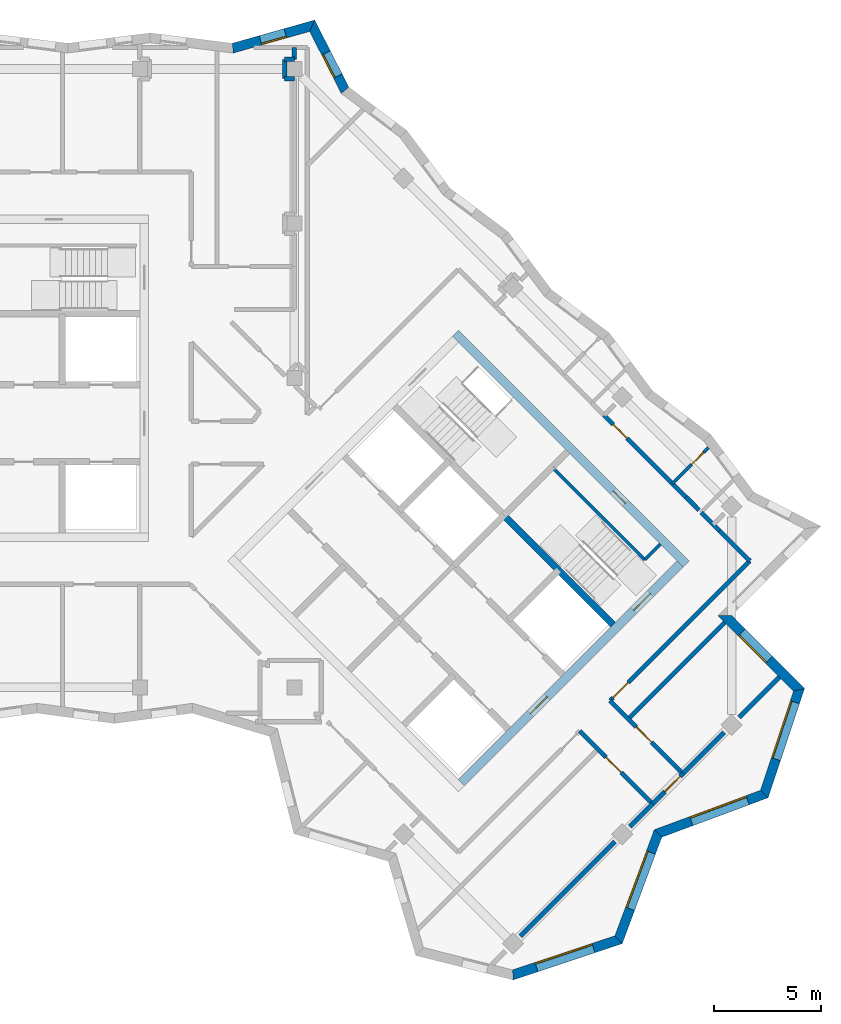
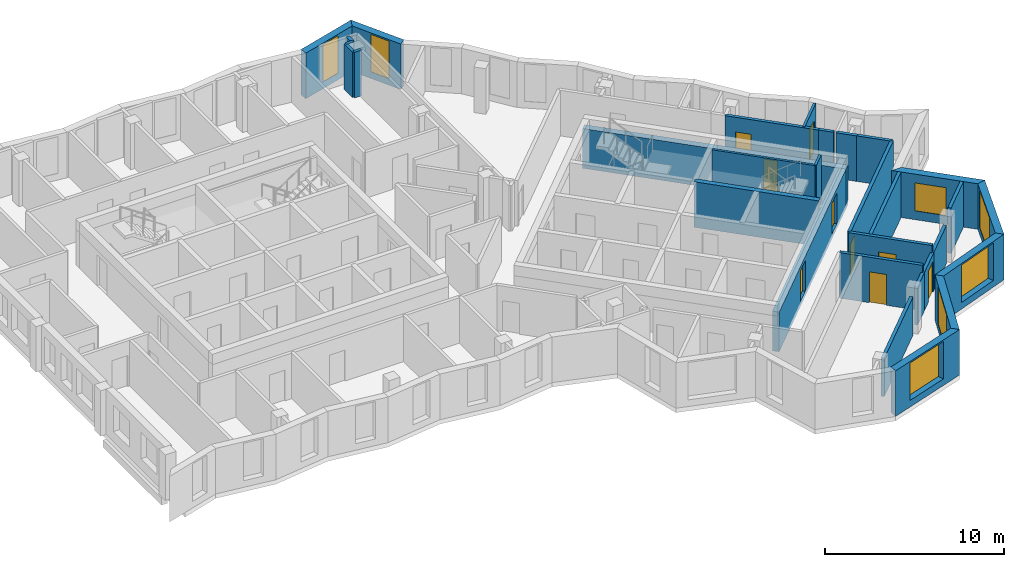
# One storey, part 7 of 13: 30 walls, 9 doors, 7 windows, 16 openings.
"""IFC4 building model written with IfcOpenShell, lengths in metres."""

from ifc_helpers import new_model, si_unit, direction, frame, frame_2d, origin, place, context, subcontext, project, spatial, polyline, rectangle, outline, extrude, material, layer, layer_set, type_object, element, fill, save


model = new_model("IFC4")

# Units and contexts
model_context = context("Model", 3, precision=1e-05, world=origin(), true_north=direction((0.0, 1.0)))
body_context = subcontext(model_context, "Body", "Model", "MODEL_VIEW")
ifc_project = project(units=[si_unit("LENGTHUNIT", "METRE"), si_unit("AREAUNIT", "SQUARE_METRE"), si_unit("VOLUMEUNIT", "CUBIC_METRE"), si_unit("PLANEANGLEUNIT", "RADIAN"), si_unit("MASSUNIT", "GRAM", prefix="KILO")], contexts=[model_context])

# Site, building, storey
site_placement = place(None, origin())
site = spatial("IfcSite", under=ifc_project, at=site_placement, CompositionType="ELEMENT")
building_placement = place(site_placement, origin())
building = spatial("IfcBuilding", under=site, at=building_placement, Name="Windrow Commons", CompositionType="ELEMENT")
storey_placement = place(building_placement, frame((0.0, 0.0, 264.2)))
storey = spatial("IfcBuildingStorey", under=building, at=storey_placement, Name="L72", CompositionType="ELEMENT", Elevation=264.2)

# Wall, opening, window
ifc_material_1 = material(Name="Brick masonry, red clay brick", Category="masonry")
ifc_layer_1 = layer(ifc_material_1, 0.45)
ifc_layer_set_1 = layer_set([ifc_layer_1], Name="Brick facade wall 450")
wall_type_1 = type_object("IfcWallType", Name="Brick facade wall 450", PredefinedType="SOLIDWALL", material=ifc_layer_set_1)
wall_1_placement = place(storey_placement, frame((89.3734, 29.8078, 0.0), z_axis=(0.0, 0.0, 1.0), x_axis=(0.9486852236, 0.3162219892, 0.0)))
wall_1 = element("IfcWall", 1, at=wall_1_placement, inside=storey, type_object=wall_type_1, Name="Brick facade wall L72 1", PredefinedType="SOLIDWALL", context=body_context, shape_type="SweptSolid", body=[
    extrude(outline(polyline([(-0.0657, -0.225), (5.3009, -0.225), (5.0853, 0.225), (0.0657, 0.225), (-0.0657, -0.225)])), origin(), (0.0, 0.0, 1.0), 3.1),
])
opening_1_placement = place(wall_1_placement, frame((1.1578, 0.0, 0.45)))
opening_1 = element("IfcOpeningElement", 2, at=opening_1_placement, cuts=wall_1, Name="Opening W1V", PredefinedType="OPENING", context=body_context, shape_type="SweptSolid", body=[
    extrude(rectangle(XDim=2.8, YDim=2.55, at=frame_2d((1.4, 1.275))), frame((0.0, 0.235, 0.0), z_axis=(0.0, -1.0, 0.0), x_axis=(1.0, 0.0, 0.0)), (0.0, 0.0, 1.0), 0.47),
])
ifc_material_2 = material(Name="Clear float glass in anodised aluminium frame", Category="aluminium")
window_type_1 = type_object("IfcWindowType", Name="Window W1V bedroom 2800x2550", PartitioningType="SINGLE_PANEL", PredefinedType="WINDOW", material=ifc_material_2)
window_1_placement = place(opening_1_placement, origin())
window_1 = element("IfcWindow", 3, at=window_1_placement, inside=storey, type_object=window_type_1, Name="Window L72 1.1", OverallHeight=2.55, OverallWidth=2.8, PartitioningType="SINGLE_PANEL", PredefinedType="WINDOW", context=body_context, shape_type="SweptSolid", body=[
    extrude(rectangle(XDim=2.8, YDim=2.55, at=frame_2d((1.4, 1.275))), frame((0.0, 0.205, 0.0), z_axis=(0.0, -1.0, 0.0), x_axis=(1.0, 0.0, 0.0)), (0.0, 0.0, 1.0), 0.06),
])
fill(opening_1, window_1)

wall_2_placement = place(storey_placement, frame((94.3001, 31.45, 0.0), z_axis=(0.0, 0.0, 1.0), x_axis=(0.3481927166, 0.9374229739, 0.0)))
wall_2 = element("IfcWall", 4, at=wall_2_placement, inside=storey, type_object=wall_type_1, Name="Brick facade wall L72 2", PredefinedType="SOLIDWALL", context=body_context, shape_type="SweptSolid", body=[
    extrude(outline(polyline([(-0.1078, -0.225), (5.1724, -0.225), (5.3786, 0.225), (0.1078, 0.225), (-0.1078, -0.225)])), origin(), (0.0, 0.0, 1.0), 3.1),
])
opening_2_placement = place(wall_2_placement, frame((1.5336, 0.0, 0.45)))
opening_2 = element("IfcOpeningElement", 5, at=opening_2_placement, cuts=wall_2, Name="Opening W1V", PredefinedType="OPENING", context=body_context, shape_type="SweptSolid", body=[
    extrude(rectangle(XDim=2.8, YDim=2.55, at=frame_2d((1.4, 1.275))), frame((0.0, 0.235, 0.0), z_axis=(0.0, -1.0, 0.0), x_axis=(1.0, 0.0, 0.0)), (0.0, 0.0, 1.0), 0.47),
])
window_2_placement = place(opening_2_placement, origin())
window_2 = element("IfcWindow", 6, at=window_2_placement, inside=storey, type_object=window_type_1, Name="Window L72 2.1", OverallHeight=2.55, OverallWidth=2.8, PartitioningType="SINGLE_PANEL", PredefinedType="WINDOW", context=body_context, shape_type="SweptSolid", body=[
    extrude(rectangle(XDim=2.8, YDim=2.55, at=frame_2d((1.4, 1.275))), frame((0.0, 0.205, 0.0), z_axis=(0.0, -1.0, 0.0), x_axis=(1.0, 0.0, 0.0)), (0.0, 0.0, 1.0), 0.06),
])
fill(opening_2, window_2)

wall_3_placement = place(storey_placement, frame((96.137, 36.3954, 0.0), z_axis=(0.0, 0.0, 1.0), x_axis=(0.937429161, 0.3481760591, 0.0)))
wall_3 = element("IfcWall", 7, at=wall_3_placement, inside=storey, type_object=wall_type_1, Name="Brick facade wall L72 3", PredefinedType="SOLIDWALL", context=body_context, shape_type="SweptSolid", body=[
    extrude(outline(polyline([(0.1031, -0.225), (5.3833, -0.225), (5.1677, 0.225), (-0.1031, 0.225), (0.1031, -0.225)])), origin(), (0.0, 0.0, 1.0), 3.1),
])
opening_3_placement = place(wall_3_placement, frame((1.6509, 0.0, 0.45)))
opening_3 = element("IfcOpeningElement", 8, at=opening_3_placement, cuts=wall_3, Name="Opening W1V", PredefinedType="OPENING", context=body_context, shape_type="SweptSolid", body=[
    extrude(rectangle(XDim=2.8, YDim=2.55, at=frame_2d((1.4, 1.275))), frame((0.0, 0.235, 0.0), z_axis=(0.0, -1.0, 0.0), x_axis=(1.0, 0.0, 0.0)), (0.0, 0.0, 1.0), 0.47),
])
window_3_placement = place(opening_3_placement, origin())
window_3 = element("IfcWindow", 9, at=window_3_placement, inside=storey, type_object=window_type_1, Name="Window L72 3.1", OverallHeight=2.55, OverallWidth=2.8, PartitioningType="SINGLE_PANEL", PredefinedType="WINDOW", context=body_context, shape_type="SweptSolid", body=[
    extrude(rectangle(XDim=2.8, YDim=2.55, at=frame_2d((1.4, 1.275))), frame((0.0, 0.205, 0.0), z_axis=(0.0, -1.0, 0.0), x_axis=(1.0, 0.0, 0.0)), (0.0, 0.0, 1.0), 0.06),
])
fill(opening_3, window_3)

wall_4_placement = place(storey_placement, frame((101.0824, 38.2322, 0.0), z_axis=(0.0, 0.0, 1.0), x_axis=(0.316227766, 0.9486832981, 0.0)))
wall_4 = element("IfcWall", 10, at=wall_4_placement, inside=storey, type_object=wall_type_1, Name="Brick facade wall L72 4", PredefinedType="SOLIDWALL", context=body_context, shape_type="SweptSolid", body=[
    extrude(outline(polyline([(-0.1078, -0.225), (5.2588, -0.225), (4.9807, 0.225), (0.1078, 0.225), (-0.1078, -0.225)])), origin(), (0.0, 0.0, 1.0), 3.1),
])
opening_4_placement = place(wall_4_placement, frame((1.7112, 0.0, 0.45)))
opening_4 = element("IfcOpeningElement", 11, at=opening_4_placement, cuts=wall_4, Name="Opening W1V", PredefinedType="OPENING", context=body_context, shape_type="SweptSolid", body=[
    extrude(rectangle(XDim=2.8, YDim=2.55, at=frame_2d((1.4, 1.275))), frame((0.0, 0.235, 0.0), z_axis=(0.0, -1.0, 0.0), x_axis=(1.0, 0.0, 0.0)), (0.0, 0.0, 1.0), 0.47),
])
window_4_placement = place(opening_4_placement, origin())
window_4 = element("IfcWindow", 12, at=window_4_placement, inside=storey, type_object=window_type_1, Name="Window L72 4.1", OverallHeight=2.55, OverallWidth=2.8, PartitioningType="SINGLE_PANEL", PredefinedType="WINDOW", context=body_context, shape_type="SweptSolid", body=[
    extrude(rectangle(XDim=2.8, YDim=2.55, at=frame_2d((1.4, 1.275))), frame((0.0, 0.205, 0.0), z_axis=(0.0, -1.0, 0.0), x_axis=(1.0, 0.0, 0.0)), (0.0, 0.0, 1.0), 0.06),
])
fill(opening_4, window_4)

wall_5_placement = place(storey_placement, frame((102.7014, 43.0892, 0.0), z_axis=(0.0, 0.0, 1.0), x_axis=(-0.7070965479, 0.7071170144, 0.0)))
wall_5 = element("IfcWall", 13, at=wall_5_placement, inside=storey, type_object=wall_type_1, Name="Brick facade wall L72 5", PredefinedType="SOLIDWALL", context=body_context, shape_type="SweptSolid", body=[
    extrude(outline(polyline([(-0.1391, -0.225), (4.661, -0.225), (5.111, 0.225), (0.1391, 0.225), (-0.1391, -0.225)])), origin(), (0.0, 0.0, 1.0), 3.1),
])
opening_5_placement = place(wall_5_placement, frame((1.9735, 0.0, 0.6)))
opening_5 = element("IfcOpeningElement", 14, at=opening_5_placement, cuts=wall_5, Name="Opening W1L", PredefinedType="OPENING", context=body_context, shape_type="SweptSolid", body=[
    extrude(rectangle(XDim=1.8, YDim=1.9, at=frame_2d((0.9, 0.95))), frame((0.0, 0.235, 0.0), z_axis=(0.0, -1.0, 0.0), x_axis=(1.0, 0.0, 0.0)), (0.0, 0.0, 1.0), 0.47),
])
ifc_material_3 = material(Name="Clear float glass in anodised aluminium frame", Category="aluminium")
window_type_2 = type_object("IfcWindowType", Name="Window W1L bedroom 1800x1900", PartitioningType="SINGLE_PANEL", PredefinedType="WINDOW", material=ifc_material_3)
window_5_placement = place(opening_5_placement, origin())
window_5 = element("IfcWindow", 15, at=window_5_placement, inside=storey, type_object=window_type_2, Name="Window L72 5.1", OverallHeight=1.9, OverallWidth=1.8, PartitioningType="SINGLE_PANEL", PredefinedType="WINDOW", context=body_context, shape_type="SweptSolid", body=[
    extrude(rectangle(XDim=1.8, YDim=1.9, at=frame_2d((0.9, 0.95))), frame((0.0, 0.205, 0.0), z_axis=(0.0, -1.0, 0.0), x_axis=(1.0, 0.0, 0.0)), (0.0, 0.0, 1.0), 0.06),
])
fill(opening_5, window_5)

wall_6_placement = place(storey_placement, frame((81.5614, 71.0102, 0.0), z_axis=(0.0, 0.0, 1.0), x_axis=(-0.4543493723, 0.8908235784, 0.0)))
wall_6 = element("IfcWall", 16, at=wall_6_placement, inside=storey, type_object=wall_type_1, Name="Brick facade wall L72 16", PredefinedType="SOLIDWALL", context=body_context, shape_type="SweptSolid", body=[
    extrude(outline(polyline([(0.0524, -0.225), (3.558, -0.225), (3.1887, 0.225), (-0.0524, 0.225), (0.0524, -0.225)])), origin(), (0.0, 0.0, 1.0), 3.1),
])
opening_6_placement = place(wall_6_placement, frame((0.7457, 0.0, 0.45)))
opening_6 = element("IfcOpeningElement", 17, at=opening_6_placement, cuts=wall_6, Name="Opening W7F", PredefinedType="OPENING", context=body_context, shape_type="SweptSolid", body=[
    extrude(rectangle(XDim=1.2, YDim=2.55, at=frame_2d((0.6, 1.275))), frame((0.0, 0.235, 0.0), z_axis=(0.0, -1.0, 0.0), x_axis=(1.0, 0.0, 0.0)), (0.0, 0.0, 1.0), 0.47),
])
ifc_material_4 = material(Name="Clear float glass in anodised aluminium frame", Category="aluminium")
window_type_3 = type_object("IfcWindowType", Name="Window W7 notch 1200x2550", PartitioningType="SINGLE_PANEL", PredefinedType="WINDOW", material=ifc_material_4)
window_6_placement = place(opening_6_placement, origin())
window_6 = element("IfcWindow", 18, at=window_6_placement, inside=storey, type_object=window_type_3, Name="Window L72 16.1", OverallHeight=2.55, OverallWidth=1.2, PartitioningType="SINGLE_PANEL", PredefinedType="WINDOW", context=body_context, shape_type="SweptSolid", body=[
    extrude(rectangle(XDim=1.2, YDim=2.55, at=frame_2d((0.6, 1.275))), frame((0.0, 0.205, 0.0), z_axis=(0.0, -1.0, 0.0), x_axis=(1.0, 0.0, 0.0)), (0.0, 0.0, 1.0), 0.06),
])
fill(opening_6, window_6)

wall_7_placement = place(storey_placement, frame((80.0287, 74.0153, 0.0), z_axis=(0.0, 0.0, 1.0), x_axis=(-0.9623447924, -0.2718317505, 0.0)))
wall_7 = element("IfcWall", 19, at=wall_7_placement, inside=storey, type_object=wall_type_1, Name="Brick facade wall L72 17", PredefinedType="SOLIDWALL", context=body_context, shape_type="SweptSolid", body=[
    extrude(outline(polyline([(-0.1847, -0.225), (3.7957, -0.225), (3.8871, 0.225), (0.1847, 0.225), (-0.1847, -0.225)])), origin(), (0.0, 0.0, 1.0), 3.1),
])
opening_7_placement = place(wall_7_placement, frame((1.3013, 0.0, 0.45)))
opening_7 = element("IfcOpeningElement", 20, at=opening_7_placement, cuts=wall_7, Name="Opening W7F", PredefinedType="OPENING", context=body_context, shape_type="SweptSolid", body=[
    extrude(rectangle(XDim=1.2, YDim=2.55, at=frame_2d((0.6, 1.275))), frame((0.0, 0.235, 0.0), z_axis=(0.0, -1.0, 0.0), x_axis=(1.0, 0.0, 0.0)), (0.0, 0.0, 1.0), 0.47),
])
window_7_placement = place(opening_7_placement, origin())
window_7 = element("IfcWindow", 21, at=window_7_placement, inside=storey, type_object=window_type_3, Name="Window L72 17.1", OverallHeight=2.55, OverallWidth=1.2, PartitioningType="SINGLE_PANEL", PredefinedType="WINDOW", context=body_context, shape_type="SweptSolid", body=[
    extrude(rectangle(XDim=1.2, YDim=2.55, at=frame_2d((0.6, 1.275))), frame((0.0, 0.205, 0.0), z_axis=(0.0, -1.0, 0.0), x_axis=(1.0, 0.0, 0.0)), (0.0, 0.0, 1.0), 0.06),
])
fill(opening_7, window_7)

# Wall, opening, door
ifc_material_5 = material(Name="Blockwork partition", Category="masonry")
ifc_layer_2 = layer(ifc_material_5, 0.2)
ifc_layer_set_2 = layer_set([ifc_layer_2], Name="IW-CORRIDOR-200")
wall_type_2 = type_object("IfcWallType", Name="IW-CORRIDOR-200", PredefinedType="PARTITIONING", material=ifc_layer_set_2)
wall_8_placement = place(storey_placement, frame((93.9069, 42.5851, 0.0), z_axis=(0.0, 0.0, 1.0), x_axis=(0.7071067812, 0.7071067812, 0.0)))
wall_8 = element("IfcWall", 22, at=wall_8_placement, inside=storey, type_object=wall_type_2, Name="W-L72-W007", PredefinedType="PARTITIONING", context=body_context, shape_type="SweptSolid", body=[
    extrude(rectangle(XDim=9.2009, YDim=0.2, at=frame_2d((4.6005, 0.0))), origin(), (0.0, 0.0, 1.0), 3.1),
])
opening_8_placement = place(wall_8_placement, frame((0.1931, 0.0, 0.0)))
opening_8 = element("IfcOpeningElement", 23, at=opening_8_placement, cuts=wall_8, Name="Opening D310F", PredefinedType="OPENING", context=body_context, shape_type="SweptSolid", body=[
    extrude(rectangle(XDim=1.0, YDim=2.1, at=frame_2d((0.5, 1.05))), frame((0.0, 0.11, 0.0), z_axis=(0.0, -1.0, 0.0), x_axis=(1.0, 0.0, 0.0)), (0.0, 0.0, 1.0), 0.22),
])
ifc_material_6 = material(Name="Timber door leaf", Category="wood")
door_type_1 = type_object("IfcDoorType", Name="DT-AMENITY-1000", OperationType="SINGLE_SWING_LEFT", PredefinedType="DOOR", material=ifc_material_6)
door_1_placement = place(opening_8_placement, origin())
door_1 = element("IfcDoor", 24, at=door_1_placement, inside=storey, type_object=door_type_1, Name="D-L72-D028", OperationType="SINGLE_SWING_LEFT", OverallHeight=2.1, OverallWidth=1.0, PredefinedType="DOOR", context=body_context, shape_type="SweptSolid", body=[
    extrude(rectangle(XDim=1.0, YDim=2.1, at=frame_2d((0.5, 1.05))), frame((0.0, 0.025, 0.0), z_axis=(0.0, -1.0, 0.0), x_axis=(1.0, 0.0, 0.0)), (0.0, 0.0, 1.0), 0.05),
])
fill(opening_8, door_1)

wall_9_placement = place(storey_placement, frame((93.6213, 55.8753, 0.0), z_axis=(0.0, 0.0, 1.0), x_axis=(0.7071623255, -0.7070512325, 0.0)))
wall_9 = element("IfcWall", 25, at=wall_9_placement, inside=storey, type_object=wall_type_2, Name="W-L72-W020", PredefinedType="PARTITIONING", context=body_context, shape_type="SweptSolid", body=[
    extrude(rectangle(XDim=5.4009, YDim=0.2, at=frame_2d((2.7005, 0.0))), origin(), (0.0, 0.0, 1.0), 3.1),
])
opening_9_placement = place(wall_9_placement, frame((0.6107, 0.0, 0.0)))
opening_9 = element("IfcOpeningElement", 26, at=opening_9_placement, cuts=wall_9, Name="Opening D109S", PredefinedType="OPENING", context=body_context, shape_type="SweptSolid", body=[
    extrude(rectangle(XDim=0.9, YDim=2.1, at=frame_2d((0.45, 1.05))), frame((0.0, 0.11, 0.0), z_axis=(0.0, -1.0, 0.0), x_axis=(1.0, 0.0, 0.0)), (0.0, 0.0, 1.0), 0.22),
])
ifc_material_7 = material(Name="Timber door leaf", Category="wood")
door_type_2 = type_object("IfcDoorType", Name="DT-BEDROOM-900", OperationType="SINGLE_SWING_LEFT", PredefinedType="DOOR", material=ifc_material_7)
door_2_placement = place(opening_9_placement, origin())
door_2 = element("IfcDoor", 27, at=door_2_placement, inside=storey, type_object=door_type_2, Name="D-L72-D022", OperationType="SINGLE_SWING_LEFT", OverallHeight=2.1, OverallWidth=0.9, PredefinedType="DOOR", context=body_context, shape_type="SweptSolid", body=[
    extrude(rectangle(XDim=0.9, YDim=2.1, at=frame_2d((0.45, 1.05))), frame((0.0, 0.025, 0.0), z_axis=(0.0, -1.0, 0.0), x_axis=(1.0, 0.0, 0.0)), (0.0, 0.0, 1.0), 0.05),
])
fill(opening_9, door_2)

wall_10_placement = place(storey_placement, frame((93.9049, 42.5809, 0.0), z_axis=(0.0, 0.0, 1.0), x_axis=(0.7071067812, -0.7071067812, 0.0)))
wall_10 = element("IfcWall", 28, at=wall_10_placement, inside=storey, type_object=wall_type_2, Name="W-L72-W023", PredefinedType="PARTITIONING", context=body_context, shape_type="SweptSolid", body=[
    extrude(rectangle(XDim=4.7998, YDim=0.2, at=frame_2d((2.3999, 0.0))), origin(), (0.0, 0.0, 1.0), 3.1),
])
opening_10_placement = place(wall_10_placement, frame((1.7246, 0.0, 0.0)))
opening_10 = element("IfcOpeningElement", 29, at=opening_10_placement, cuts=wall_10, Name="Opening D310F", PredefinedType="OPENING", context=body_context, shape_type="SweptSolid", body=[
    extrude(rectangle(XDim=1.0, YDim=2.1, at=frame_2d((0.5, 1.05))), frame((0.0, 0.11, 0.0), z_axis=(0.0, -1.0, 0.0), x_axis=(1.0, 0.0, 0.0)), (0.0, 0.0, 1.0), 0.22),
])
door_3_placement = place(opening_10_placement, origin())
door_3 = element("IfcDoor", 30, at=door_3_placement, inside=storey, type_object=door_type_1, Name="D-L72-D029", OperationType="SINGLE_SWING_RIGHT", OverallHeight=2.1, OverallWidth=1.0, PredefinedType="DOOR", context=body_context, shape_type="SweptSolid", body=[
    extrude(rectangle(XDim=1.0, YDim=2.1, at=frame_2d((0.5, 1.05))), frame((0.0, 0.025, 0.0), z_axis=(0.0, -1.0, 0.0), x_axis=(1.0, 0.0, 0.0)), (0.0, 0.0, 1.0), 0.05),
])
fill(opening_10, door_3)

wall_11_placement = place(storey_placement, frame((92.4907, 41.1667, 0.0), z_axis=(0.0, 0.0, 1.0), x_axis=(0.7071067812, -0.7071067812, 0.0)))
wall_11 = element("IfcWall", 31, at=wall_11_placement, inside=storey, type_object=wall_type_2, Name="W-L72-W024", PredefinedType="PARTITIONING", context=body_context, shape_type="SweptSolid", body=[
    extrude(rectangle(XDim=4.7998, YDim=0.2, at=frame_2d((2.3999, 0.0))), origin(), (0.0, 0.0, 1.0), 3.1),
])
opening_11_placement = place(wall_11_placement, frame((1.7246, 0.0, 0.0)))
opening_11 = element("IfcOpeningElement", 32, at=opening_11_placement, cuts=wall_11, Name="Opening D310F", PredefinedType="OPENING", context=body_context, shape_type="SweptSolid", body=[
    extrude(rectangle(XDim=1.0, YDim=2.1, at=frame_2d((0.5, 1.05))), frame((0.0, 0.11, 0.0), z_axis=(0.0, -1.0, 0.0), x_axis=(1.0, 0.0, 0.0)), (0.0, 0.0, 1.0), 0.22),
])
door_4_placement = place(opening_11_placement, origin())
door_4 = element("IfcDoor", 33, at=door_4_placement, inside=storey, type_object=door_type_1, Name="D-L72-D027", OperationType="SINGLE_SWING_LEFT", OverallHeight=2.1, OverallWidth=1.0, PredefinedType="DOOR", context=body_context, shape_type="SweptSolid", body=[
    extrude(rectangle(XDim=1.0, YDim=2.1, at=frame_2d((0.5, 1.05))), frame((0.0, 0.025, 0.0), z_axis=(0.0, -1.0, 0.0), x_axis=(1.0, 0.0, 0.0)), (0.0, 0.0, 1.0), 0.05),
])
fill(opening_11, door_4)

# Wall
wall_12_placement = place(storey_placement, frame((98.9983, 50.5043, 0.0), z_axis=(0.0, 0.0, 1.0), x_axis=(0.7076063266, -0.7066068826, 0.0)))
element("IfcWall", 34, at=wall_12_placement, inside=storey, type_object=wall_type_2, Name="W-L72-W065", PredefinedType="PARTITIONING", context=body_context, shape_type="SweptSolid", body=[
    extrude(rectangle(XDim=2.0011, YDim=0.2, at=frame_2d((1.0006, 0.0))), origin(), (0.0, 0.0, 1.0), 3.1),
])

# Wall, opening, door
wall_13_placement = place(storey_placement, frame((95.887, 37.777, 0.0), z_axis=(0.0, 0.0, 1.0), x_axis=(0.7071067812, 0.7071067812, 0.0)))
wall_13 = element("IfcWall", 35, at=wall_13_placement, inside=storey, type_object=wall_type_2, Name="W-L72-W067", PredefinedType="PARTITIONING", context=body_context, shape_type="SweptSolid", body=[
    extrude(rectangle(XDim=1.9997, YDim=0.2, at=frame_2d((0.9999, 0.0))), origin(), (0.0, 0.0, 1.0), 2.6),
])
opening_12_placement = place(wall_13_placement, frame((0.8027, 0.0, 0.0)))
opening_12 = element("IfcOpeningElement", 36, at=opening_12_placement, cuts=wall_13, Name="Opening D310F", PredefinedType="OPENING", context=body_context, shape_type="SweptSolid", body=[
    extrude(rectangle(XDim=1.0, YDim=2.1, at=frame_2d((0.5, 1.05))), frame((0.0, 0.11, 0.0), z_axis=(0.0, -1.0, 0.0), x_axis=(1.0, 0.0, 0.0)), (0.0, 0.0, 1.0), 0.22),
])
door_5_placement = place(opening_12_placement, origin())
door_5 = element("IfcDoor", 37, at=door_5_placement, inside=storey, type_object=door_type_1, Name="D-L72-D030", OperationType="SINGLE_SWING_RIGHT", OverallHeight=2.1, OverallWidth=1.0, PredefinedType="DOOR", context=body_context, shape_type="SweptSolid", body=[
    extrude(rectangle(XDim=1.0, YDim=2.1, at=frame_2d((0.5, 1.05))), frame((0.0, 0.025, 0.0), z_axis=(0.0, -1.0, 0.0), x_axis=(1.0, 0.0, 0.0)), (0.0, 0.0, 1.0), 0.05),
])
fill(opening_12, door_5)

# Walls
wall_14_placement = place(storey_placement, frame((98.1473, 51.3493, 0.0), z_axis=(0.0, 0.0, 1.0), x_axis=(0.7071067812, -0.7071067812, 0.0)))
element("IfcWall", 38, at=wall_14_placement, inside=storey, type_object=wall_type_2, Name="W-L72-W072", PredefinedType="PARTITIONING", context=body_context, shape_type="SweptSolid", body=[
    extrude(rectangle(XDim=1.1993, YDim=0.2, at=frame_2d((0.5997, 0.0))), origin(), (0.0, 0.0, 1.0), 3.1),
])
wall_15_placement = place(storey_placement, frame((97.445, 52.061, 0.0), z_axis=(0.0, 0.0, 1.0), x_axis=(0.7059292536, -0.7082823511, 0.0)))
element("IfcWall", 39, at=wall_15_placement, inside=storey, type_object=wall_type_2, Name="W-L72-W077", PredefinedType="PARTITIONING", context=body_context, shape_type="SweptSolid", body=[
    extrude(rectangle(XDim=0.8499, YDim=0.2, at=frame_2d((0.4249, 0.0))), origin(), (0.0, 0.0, 1.0), 3.1),
])

# Wall, opening, door
ifc_material_8 = material(Name="Blockwork partition", Category="masonry")
ifc_layer_3 = layer(ifc_material_8, 0.15)
ifc_layer_set_3 = layer_set([ifc_layer_3], Name="IW-ENSUITE-150")
wall_type_3 = type_object("IfcWallType", Name="IW-ENSUITE-150", PredefinedType="PARTITIONING", material=ifc_layer_set_3)
wall_16_placement = place(storey_placement, frame((96.8094, 52.6926, 0.0), z_axis=(0.0, 0.0, 1.0), x_axis=(0.7075279036, 0.7066854079, 0.0)))
wall_16 = element("IfcWall", 40, at=wall_16_placement, inside=storey, type_object=wall_type_3, Name="W-L72-W059", PredefinedType="PARTITIONING", context=body_context, shape_type="SweptSolid", body=[
    extrude(rectangle(XDim=2.3739, YDim=0.15, at=frame_2d((1.1869, 0.0))), origin(), (0.0, 0.0, 1.0), 3.1),
])
opening_13_placement = place(wall_16_placement, frame((1.2578, 0.0, 0.0)))
opening_13 = element("IfcOpeningElement", 41, at=opening_13_placement, cuts=wall_16, Name="Opening D208N", PredefinedType="OPENING", context=body_context, shape_type="SweptSolid", body=[
    extrude(rectangle(XDim=0.8, YDim=2.1, at=frame_2d((0.4, 1.05))), frame((0.0, 0.085, 0.0), z_axis=(0.0, -1.0, 0.0), x_axis=(1.0, 0.0, 0.0)), (0.0, 0.0, 1.0), 0.17),
])
ifc_material_9 = material(Name="Timber door leaf", Category="wood")
door_type_3 = type_object("IfcDoorType", Name="DT-ENSUITE-800", OperationType="SINGLE_SWING_LEFT", PredefinedType="DOOR", material=ifc_material_9)
door_6_placement = place(opening_13_placement, origin())
door_6 = element("IfcDoor", 42, at=door_6_placement, inside=storey, type_object=door_type_3, Name="D-L72-D023", OperationType="SINGLE_SWING_RIGHT", OverallHeight=2.1, OverallWidth=0.8, PredefinedType="DOOR", context=body_context, shape_type="SweptSolid", body=[
    extrude(rectangle(XDim=0.8, YDim=2.1, at=frame_2d((0.4, 1.05))), frame((0.0, 0.025, 0.0), z_axis=(0.0, -1.0, 0.0), x_axis=(1.0, 0.0, 0.0)), (0.0, 0.0, 1.0), 0.05),
])
fill(opening_13, door_6)

# Walls
ifc_material_10 = material(Name="Blockwork partition", Category="masonry")
ifc_layer_4 = layer(ifc_material_10, 0.2)
ifc_layer_set_4 = layer_set([ifc_layer_4], Name="IW-PARTY-200")
wall_type_4 = type_object("IfcWallType", Name="IW-PARTY-200", PredefinedType="PARTITIONING", material=ifc_layer_set_4)
wall_17_placement = place(storey_placement, frame((94.7554, 41.7366, 0.0), z_axis=(0.0, 0.0, 1.0), x_axis=(0.7071146549, 0.7070989073, 0.0)))
element("IfcWall", 43, at=wall_17_placement, inside=storey, type_object=wall_type_4, Name="W-L72-W012", PredefinedType="PARTITIONING", context=body_context, shape_type="SweptSolid", body=[
    extrude(rectangle(XDim=6.3502, YDim=0.2, at=frame_2d((3.1751, 0.0))), origin(), (0.0, 0.0, 1.0), 3.1),
])
wall_18_placement = place(storey_placement, frame((89.731, 31.621, 0.0), z_axis=(0.0, 0.0, 1.0), x_axis=(0.7071067812, 0.7071067812, 0.0)))
element("IfcWall", 44, at=wall_18_placement, inside=storey, type_object=wall_type_4, Name="W-L72-W014", PredefinedType="PARTITIONING", context=body_context, shape_type="SweptSolid", body=[
    extrude(rectangle(XDim=6.2112, YDim=0.2, at=frame_2d((3.1056, 0.0))), origin(), (0.0, 0.0, 1.0), 2.6),
])
wall_19_placement = place(storey_placement, frame((97.301, 39.191, 0.0), z_axis=(0.0, 0.0, 1.0), x_axis=(0.7071067812, 0.7071067812, 0.0)))
element("IfcWall", 45, at=wall_19_placement, inside=storey, type_object=wall_type_4, Name="W-L72-W052", PredefinedType="PARTITIONING", context=body_context, shape_type="SweptSolid", body=[
    extrude(rectangle(XDim=2.7068, YDim=0.2, at=frame_2d((1.3534, 0.0))), origin(), (0.0, 0.0, 1.0), 2.6),
])
wall_20_placement = place(storey_placement, frame((99.913, 41.803, 0.0), z_axis=(0.0, 0.0, 1.0), x_axis=(0.7071067812, 0.7071067812, 0.0)))
element("IfcWall", 46, at=wall_20_placement, inside=storey, type_object=wall_type_4, Name="W-L72-W053", PredefinedType="PARTITIONING", context=body_context, shape_type="SweptSolid", body=[
    extrude(rectangle(XDim=2.6562, YDim=0.2, at=frame_2d((1.3281, 0.0))), origin(), (0.0, 0.0, 1.0), 3.1),
])
wall_21_placement = place(storey_placement, frame((94.823, 36.713, 0.0), z_axis=(0.0, 0.0, 1.0), x_axis=(0.7071067812, 0.7071067812, 0.0)))
element("IfcWall", 47, at=wall_21_placement, inside=storey, type_object=wall_type_4, Name="W-L72-W071", PredefinedType="PARTITIONING", context=body_context, shape_type="SweptSolid", body=[
    extrude(rectangle(XDim=1.5047, YDim=0.2, at=frame_2d((0.7523, 0.0))), origin(), (0.0, 0.0, 1.0), 2.6),
])
wall_22_placement = place(storey_placement, frame((78.75, 71.546, 0.0), z_axis=(0.0, 0.0, 1.0), x_axis=(0.0, 1.0, 0.0)))
element("IfcWall", 48, at=wall_22_placement, inside=storey, type_object=wall_type_4, Name="W-L72-W075", PredefinedType="PARTITIONING", context=body_context, shape_type="SweptSolid", body=[
    extrude(rectangle(XDim=0.908, YDim=0.2, at=frame_2d((0.454, 0.0))), origin(), (0.0, 0.0, 1.0), 3.1),
])
wall_23_placement = place(storey_placement, frame((79.2, 72.454, 0.0), z_axis=(0.0, 0.0, 1.0), x_axis=(0.0, 1.0, 0.0)))
element("IfcWall", 49, at=wall_23_placement, inside=storey, type_object=wall_type_4, Name="W-L72-W096", PredefinedType="PARTITIONING", context=body_context, shape_type="SweptSolid", body=[
    extrude(rectangle(XDim=0.546, YDim=0.2, at=frame_2d((0.273, 0.0))), origin(), (0.0, 0.0, 1.0), 3.1),
])
for number, where, z_axis, x_axis, name in (
    (50, (78.75, 71.55, 0.0), (0.0, 0.0, 1.0), (1.0, 0.0, 0.0), "W-L72-W101"),
    (51, (78.75, 72.45, 0.0), (0.0, 0.0, 1.0), (1.0, 0.0, 0.0), "W-L72-W103"),
):
    element("IfcWall", number, at=place(storey_placement, frame(where, z_axis=z_axis, x_axis=x_axis)), inside=storey, type_object=wall_type_4, Name=name, PredefinedType="PARTITIONING", context=body_context, shape_type="SweptSolid", body=[
        extrude(rectangle(XDim=0.45, YDim=0.2, at=frame_2d((0.225, 0.0))), origin(), (0.0, 0.0, 1.0), 3.1),
    ])

# Wall, opening, door
ifc_material_11 = material(Name="Concrete C40/50", Category="concrete")
ifc_layer_5 = layer(ifc_material_11, 0.4)
ifc_layer_set_5 = layer_set([ifc_layer_5], Name="RC CORE WALL 400 C40/50")
wall_type_5 = type_object("IfcWallType", Name="RC CORE WALL 400 C40/50", PredefinedType="SHEAR", material=ifc_layer_set_5)
wall_24_placement = place(storey_placement, frame((86.6953, 59.6963, -0.3), z_axis=(0.0, 0.0, 1.0), x_axis=(0.7071100706, -0.7071034917, 0.0)))
wall_24 = element("IfcWall", 52, at=wall_24_placement, inside=storey, type_object=wall_type_5, Name="Core B wall outer-N", PredefinedType="SHEAR", context=body_context, shape_type="SweptSolid", body=[
    extrude(rectangle(XDim=15.2, YDim=0.4, at=frame_2d((7.6, 0.0))), origin(), (0.0, 0.0, 1.0), 2.7),
])
opening_14_placement = place(wall_24_placement, frame((10.4, 0.0, 0.3)))
opening_14 = element("IfcOpeningElement", 53, at=opening_14_placement, cuts=wall_24, Name="Opening D9", PredefinedType="OPENING", context=body_context, shape_type="SweptSolid", body=[
    extrude(rectangle(XDim=0.8, YDim=2.1, at=frame_2d((0.4, 1.05))), frame((0.0, 0.21, 0.0), z_axis=(0.0, -1.0, 0.0), x_axis=(1.0, 0.0, 0.0)), (0.0, 0.0, 1.0), 0.42),
])
ifc_material_12 = material(Name="Steel fire door leaf", Category="steel")
door_type_4 = type_object("IfcDoorType", Name="Riser access door 800", OperationType="SINGLE_SWING_LEFT", PredefinedType="DOOR", material=ifc_material_12)
door_7_placement = place(opening_14_placement, origin())
door_7 = element("IfcDoor", 54, at=door_7_placement, inside=storey, type_object=door_type_4, Name="Riser access door", OperationType="SINGLE_SWING_RIGHT", OverallHeight=2.1, OverallWidth=0.8, PredefinedType="DOOR", context=body_context, shape_type="SweptSolid", body=[
    extrude(rectangle(XDim=0.8, YDim=2.1, at=frame_2d((0.4, 1.05))), frame((0.0, 0.025, 0.0), z_axis=(0.0, -1.0, 0.0), x_axis=(1.0, 0.0, 0.0)), (0.0, 0.0, 1.0), 0.05),
])
fill(opening_14, door_7)

# Wall, openings, doors
wall_25_placement = place(storey_placement, frame((86.9782, 38.766, -0.3), z_axis=(0.0, 0.0, 1.0), x_axis=(0.7071067812, 0.7071067812, 0.0)))
wall_25 = element("IfcWall", 55, at=wall_25_placement, inside=storey, type_object=wall_type_5, Name="Core B wall outer-E", PredefinedType="SHEAR", context=body_context, shape_type="SweptSolid", body=[
    extrude(rectangle(XDim=14.3999, YDim=0.4, at=frame_2d((7.2, 0.0))), origin(), (0.0, 0.0, 1.0), 2.7),
])
opening_15_placement = place(wall_25_placement, frame((4.55, 0.0, 0.3)))
opening_15 = element("IfcOpeningElement", 56, at=opening_15_placement, cuts=wall_25, Name="Opening D6", PredefinedType="OPENING", context=body_context, shape_type="SweptSolid", body=[
    extrude(rectangle(XDim=1.1, YDim=2.1, at=frame_2d((0.55, 1.05))), frame((0.0, 0.21, 0.0), z_axis=(0.0, -1.0, 0.0), x_axis=(1.0, 0.0, 0.0)), (0.0, 0.0, 1.0), 0.42),
])
opening_16_placement = place(wall_25_placement, frame((11.35, 0.0, 0.3)))
opening_16 = element("IfcOpeningElement", 57, at=opening_16_placement, cuts=wall_25, Name="Opening D7", PredefinedType="OPENING", context=body_context, shape_type="SweptSolid", body=[
    extrude(rectangle(XDim=1.1, YDim=2.1, at=frame_2d((0.55, 1.05))), frame((0.0, 0.21, 0.0), z_axis=(0.0, -1.0, 0.0), x_axis=(1.0, 0.0, 0.0)), (0.0, 0.0, 1.0), 0.42),
])
ifc_material_13 = material(Name="Steel fire door leaf", Category="steel")
door_type_5 = type_object("IfcDoorType", Name="Core lobby door 1100", OperationType="SINGLE_SWING_LEFT", PredefinedType="DOOR", material=ifc_material_13)
door_8_placement = place(opening_15_placement, origin())
door_8 = element("IfcDoor", 58, at=door_8_placement, inside=storey, type_object=door_type_5, Name="Lift lobby door", OperationType="DOUBLE_DOOR_SINGLE_SWING", OverallHeight=2.1, OverallWidth=1.1, PredefinedType="DOOR", context=body_context, shape_type="SweptSolid", body=[
    extrude(rectangle(XDim=1.1, YDim=2.1, at=frame_2d((0.55, 1.05))), frame((0.0, 0.025, 0.0), z_axis=(0.0, -1.0, 0.0), x_axis=(1.0, 0.0, 0.0)), (0.0, 0.0, 1.0), 0.05),
])
fill(opening_15, door_8)
ifc_material_14 = material(Name="Steel fire door leaf", Category="steel")
door_type_6 = type_object("IfcDoorType", Name="Stair door 1100", OperationType="SINGLE_SWING_LEFT", PredefinedType="DOOR", material=ifc_material_14)
door_9_placement = place(opening_16_placement, origin())
door_9 = element("IfcDoor", 59, at=door_9_placement, inside=storey, type_object=door_type_6, Name="Stair door", OperationType="SINGLE_SWING_RIGHT", OverallHeight=2.1, OverallWidth=1.1, PredefinedType="DOOR", context=body_context, shape_type="SweptSolid", body=[
    extrude(rectangle(XDim=1.1, YDim=2.1, at=frame_2d((0.55, 1.05))), frame((0.0, 0.025, 0.0), z_axis=(0.0, -1.0, 0.0), x_axis=(1.0, 0.0, 0.0)), (0.0, 0.0, 1.0), 0.05),
])
fill(opening_16, door_9)

# Walls
ifc_material_15 = material(Name="Concrete C40/50", Category="concrete")
ifc_layer_6 = layer(ifc_material_15, 0.3)
ifc_layer_set_6 = layer_set([ifc_layer_6], Name="RC SHAFT WALL 300 C40/50")
wall_type_6 = type_object("IfcWallType", Name="RC SHAFT WALL 300 C40/50", PredefinedType="SOLIDWALL", material=ifc_layer_set_6)
wall_26_placement = place(storey_placement, frame((88.9581, 51.2111, 0.0), z_axis=(0.0, 0.0, 1.0), x_axis=(0.7070998367, -0.7071137256, 0.0)))
element("IfcWall", 60, at=wall_26_placement, inside=storey, type_object=wall_type_6, Name="Core B wall stair-S2", PredefinedType="SOLIDWALL", context=body_context, shape_type="SweptSolid", body=[
    extrude(rectangle(XDim=7.2, YDim=0.3, at=frame_2d((3.6, 0.0))), origin(), (0.0, 0.0, 1.0), 3.1),
])
ifc_material_16 = material(Name="Blockwork partition", Category="masonry")
ifc_layer_7 = layer(ifc_material_16, 0.15)
ifc_layer_set_7 = layer_set([ifc_layer_7], Name="Riser partition 150")
wall_type_7 = type_object("IfcWallType", Name="Riser partition 150", PredefinedType="PARTITIONING", material=ifc_layer_set_7)
wall_27_placement = place(storey_placement, frame((91.3127, 53.3536, 0.0), z_axis=(0.0, 0.0, 1.0), x_axis=(0.7071067812, -0.7071067812, 0.0)))
element("IfcWall", 61, at=wall_27_placement, inside=storey, type_object=wall_type_7, Name="W-core-strip-B-L72", PredefinedType="PARTITIONING", context=body_context, shape_type="SweptSolid", body=[
    extrude(rectangle(XDim=5.95, YDim=0.15, at=frame_2d((2.975, 0.0))), origin(), (0.0, 0.0, 1.0), 3.1),
])
wall_28_placement = place(storey_placement, frame((95.52, 49.1463, 0.0), z_axis=(0.0, 0.0, 1.0), x_axis=(0.7071067812, 0.7071067812, 0.0)))
element("IfcWall", 62, at=wall_28_placement, inside=storey, type_object=wall_type_7, Name="W-core-stripx-B-L72-1", PredefinedType="PARTITIONING", context=body_context, shape_type="SweptSolid", body=[
    extrude(rectangle(XDim=1.0201, YDim=0.15, at=frame_2d((0.5101, 0.0))), origin(), (0.0, 0.0, 1.0), 3.1),
])

save(model, "model.ifc")
